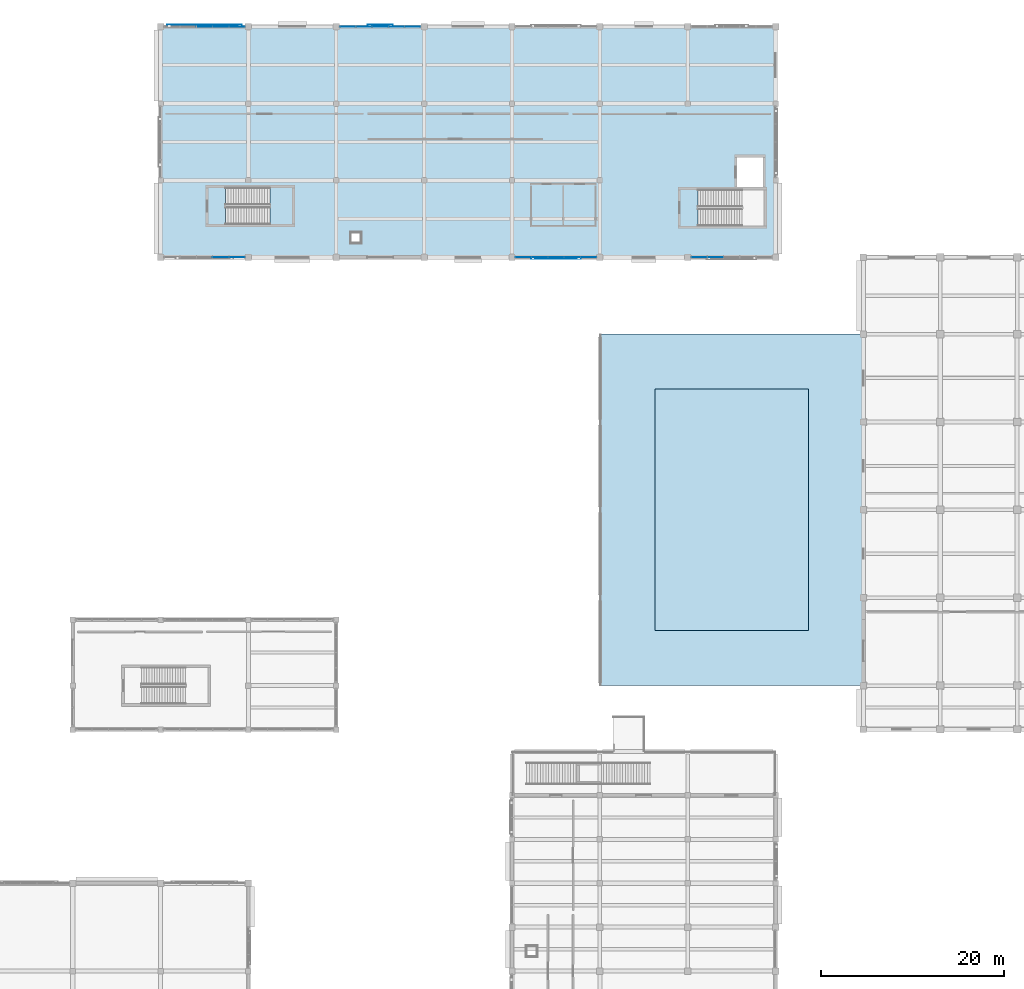
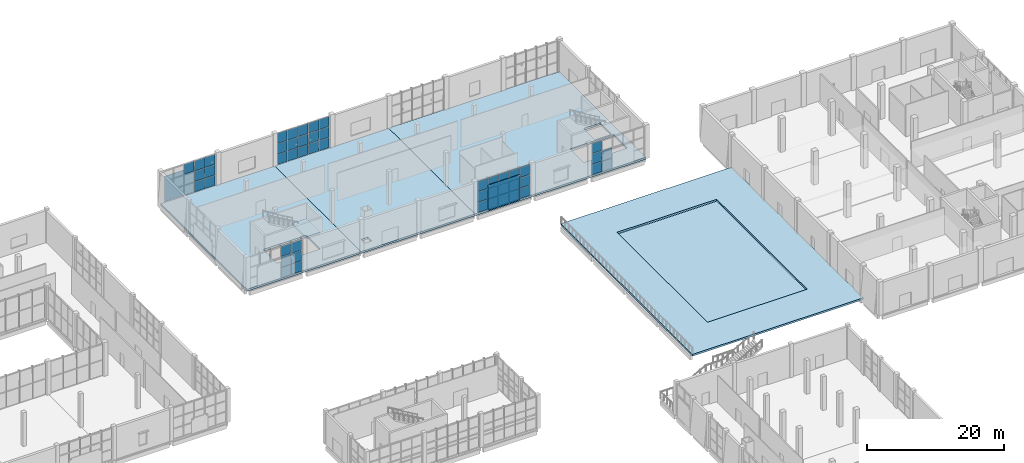
# One storey, part 49 of 84: 51 plates, 6 slabs, 6 elements without a shape of their own.
"""IFC4 building model written with IfcOpenShell, lengths in metres."""

from ifc_helpers import new_model, si_unit, direction, frame, origin, origin_2d, place, context, subcontext, project, spatial, polyline, rectangle, outline, extrude, material, layer, layer_set, type_object, element, aggregate, save


model = new_model("IFC4")

# Units and contexts
model_context = context("Model", 3, precision=1e-05, world=origin(), true_north=direction((0.0, 1.0)))
body_context = subcontext(model_context, "Body", "Model", "MODEL_VIEW")
ifc_project = project(units=[si_unit("LENGTHUNIT", "METRE"), si_unit("AREAUNIT", "SQUARE_METRE"), si_unit("VOLUMEUNIT", "CUBIC_METRE"), si_unit("PLANEANGLEUNIT", "RADIAN"), si_unit("MASSUNIT", "GRAM", prefix="KILO")], contexts=[model_context])

# Site, building, storey
site_placement = place(None, origin())
site = spatial("IfcSite", under=ifc_project, at=site_placement, CompositionType="ELEMENT")
building_placement = place(site_placement, origin())
building = spatial("IfcBuilding", under=site, at=building_placement, Name="Shalvenor Court Art Gallery", CompositionType="ELEMENT")
storey_placement = place(building_placement, origin())
storey = spatial("IfcBuildingStorey", under=building, at=storey_placement, Name="L00", CompositionType="ELEMENT", Elevation=0.0)

# Curtain wall, plates
ifc_material_1 = material(Name="Anodised aluminium and low-iron glass curtain wall", Category="aluminium")
curtain_wall_type_1 = type_object("IfcCurtainWallType", Name="CW-5x3-89-57-242", PredefinedType="USERDEFINED", material=ifc_material_1)
curtain_wall_1_placement = place(storey_placement, origin())
curtain_wall_1 = element("IfcCurtainWall", 1, at=curtain_wall_1_placement, inside=storey, type_object=curtain_wall_type_1, Name="L00 V2 Curtain Wall CW-L00-053", ObjectType="CURTAIN WALL", PredefinedType="USERDEFINED")
ifc_material_2 = material(Name="Low-iron triple-silver solar gallery glazing IGU", Category="glass")
ifc_layer_1 = layer(ifc_material_2, 0.031982421875, Name="Low-iron triple-silver solar gallery glazing IGU")
ifc_layer_set_1 = layer_set([ifc_layer_1], Name="Low-iron triple-silver solar gallery glazing IGU")
plate_type_1 = type_object("IfcPlateType", Name="CWP-02", PredefinedType="CURTAIN_PANEL", material=ifc_layer_set_1)
plate_1_placement = place(storey_placement, frame((62.39990234375, 122.39990234375, 3.82177734375), z_axis=(0.0, 0.0, 1.0), x_axis=(1.0, 0.0, 0.0)))
plate_1 = element("IfcPlate", 2, at=plate_1_placement, type_object=plate_type_1, Name="CW-5x3-89-57-242 panel 3.3", PredefinedType="CURTAIN_PANEL", context=body_context, shape_type="SweptSolid", body=[
    extrude(rectangle(XDim=1.7099609375, YDim=0.031982421875, at=origin_2d()), origin(), (0.0, 0.0, 1.0), 1.788330078125),
])
plate_2_placement = place(storey_placement, frame((64.179931640625, 122.39990234375, 0.06982421875), z_axis=(0.0, 0.0, 1.0), x_axis=(1.0, 0.0, 0.0)))
plate_2 = element("IfcPlate", 3, at=plate_2_placement, type_object=plate_type_1, Name="CW-5x3-89-57-242 panel 4.1", PredefinedType="CURTAIN_PANEL", context=body_context, shape_type="SweptSolid", body=[
    extrude(rectangle(XDim=1.7099609375, YDim=0.031982421875, at=origin_2d()), origin(), (0.0, 0.0, 1.0), 1.788330078125),
])
plate_3_placement = place(storey_placement, frame((64.179931640625, 122.39990234375, 1.928466796875), z_axis=(0.0, 0.0, 1.0), x_axis=(1.0, 0.0, 0.0)))
plate_3 = element("IfcPlate", 4, at=plate_3_placement, type_object=plate_type_1, Name="CW-5x3-89-57-242 panel 4.2", PredefinedType="CURTAIN_PANEL", context=body_context, shape_type="SweptSolid", body=[
    extrude(rectangle(XDim=1.7099609375, YDim=0.031982421875, at=origin_2d()), origin(), (0.0, 0.0, 1.0), 1.8232421875),
])
plate_4_placement = place(storey_placement, frame((64.179931640625, 122.39990234375, 3.82177734375), z_axis=(0.0, 0.0, 1.0), x_axis=(1.0, 0.0, 0.0)))
plate_4 = element("IfcPlate", 5, at=plate_4_placement, type_object=plate_type_1, Name="CW-5x3-89-57-242 panel 4.3", PredefinedType="CURTAIN_PANEL", context=body_context, shape_type="SweptSolid", body=[
    extrude(rectangle(XDim=1.7099609375, YDim=0.031982421875, at=origin_2d()), origin(), (0.0, 0.0, 1.0), 1.788330078125),
])
plate_5_placement = place(storey_placement, frame((65.9423828125, 122.39990234375, 0.06982421875), z_axis=(0.0, 0.0, 1.0), x_axis=(1.0, 0.0, 0.0)))
plate_5 = element("IfcPlate", 6, at=plate_5_placement, type_object=plate_type_1, Name="CW-5x3-89-57-242 panel 5.1", PredefinedType="CURTAIN_PANEL", context=body_context, shape_type="SweptSolid", body=[
    extrude(rectangle(XDim=1.675048828125, YDim=0.031982421875, at=origin_2d()), origin(), (0.0, 0.0, 1.0), 1.788330078125),
])
plate_6_placement = place(storey_placement, frame((65.9423828125, 122.39990234375, 1.928466796875), z_axis=(0.0, 0.0, 1.0), x_axis=(1.0, 0.0, 0.0)))
plate_6 = element("IfcPlate", 7, at=plate_6_placement, type_object=plate_type_1, Name="CW-5x3-89-57-242 panel 5.2", PredefinedType="CURTAIN_PANEL", context=body_context, shape_type="SweptSolid", body=[
    extrude(rectangle(XDim=1.675048828125, YDim=0.031982421875, at=origin_2d()), origin(), (0.0, 0.0, 1.0), 1.8232421875),
])
plate_7_placement = place(storey_placement, frame((65.9423828125, 122.39990234375, 3.82177734375), z_axis=(0.0, 0.0, 1.0), x_axis=(1.0, 0.0, 0.0)))
plate_7 = element("IfcPlate", 8, at=plate_7_placement, type_object=plate_type_1, Name="CW-5x3-89-57-242 panel 5.3", PredefinedType="CURTAIN_PANEL", context=body_context, shape_type="SweptSolid", body=[
    extrude(rectangle(XDim=1.675048828125, YDim=0.031982421875, at=origin_2d()), origin(), (0.0, 0.0, 1.0), 1.788330078125),
])
aggregate(curtain_wall_1, [plate_1, plate_2, plate_3, plate_4, plate_5, plate_6, plate_7])

ifc_material_3 = material(Name="Anodised aluminium and low-iron glass curtain wall", Category="aluminium")
curtain_wall_type_2 = type_object("IfcCurtainWallType", Name="CW-5x3-89-57-412", PredefinedType="USERDEFINED", material=ifc_material_3)
curtain_wall_2_placement = place(storey_placement, origin())
curtain_wall_2 = element("IfcCurtainWall", 9, at=curtain_wall_2_placement, inside=storey, type_object=curtain_wall_type_2, Name="L00 V2 Curtain Wall CW-L00-054", ObjectType="CURTAIN WALL", PredefinedType="USERDEFINED")
plate_8_placement = place(storey_placement, frame((78.058837890625, 122.39990234375, 0.06005859375), z_axis=(0.0, 0.0, 1.0), x_axis=(1.0, 0.0, 0.0)))
plate_8 = element("IfcPlate", 10, at=plate_8_placement, type_object=plate_type_1, Name="CW-5x3-89-57-412 panel 1.1", PredefinedType="CURTAIN_PANEL", context=body_context, shape_type="SweptSolid", body=[
    extrude(rectangle(XDim=1.66748046875, YDim=0.031982421875, at=origin_2d()), origin(), (0.0, 0.0, 1.0), 1.80322265625),
])
plate_9_placement = place(storey_placement, frame((78.058837890625, 122.39990234375, 1.92333984375), z_axis=(0.0, 0.0, 1.0), x_axis=(1.0, 0.0, 0.0)))
plate_9 = element("IfcPlate", 11, at=plate_9_placement, type_object=plate_type_1, Name="CW-5x3-89-57-412 panel 1.2", PredefinedType="CURTAIN_PANEL", context=body_context, shape_type="SweptSolid", body=[
    extrude(rectangle(XDim=1.66748046875, YDim=0.031982421875, at=origin_2d()), origin(), (0.0, 0.0, 1.0), 1.833251953125),
])
plate_10_placement = place(storey_placement, frame((78.058837890625, 122.39990234375, 3.816650390625), z_axis=(0.0, 0.0, 1.0), x_axis=(1.0, 0.0, 0.0)))
plate_10 = element("IfcPlate", 12, at=plate_10_placement, type_object=plate_type_1, Name="CW-5x3-89-57-412 panel 1.3", PredefinedType="CURTAIN_PANEL", context=body_context, shape_type="SweptSolid", body=[
    extrude(rectangle(XDim=1.66748046875, YDim=0.031982421875, at=origin_2d()), origin(), (0.0, 0.0, 1.0), 1.80322265625),
])
plate_11_placement = place(storey_placement, frame((79.820068359375, 122.39990234375, 0.06005859375), z_axis=(0.0, 0.0, 1.0), x_axis=(1.0, 0.0, 0.0)))
plate_11 = element("IfcPlate", 13, at=plate_11_placement, type_object=plate_type_1, Name="CW-5x3-89-57-412 panel 2.1", PredefinedType="CURTAIN_PANEL", context=body_context, shape_type="SweptSolid", body=[
    extrude(rectangle(XDim=1.705078125, YDim=0.031982421875, at=origin_2d()), origin(), (0.0, 0.0, 1.0), 1.80322265625),
])
plate_12_placement = place(storey_placement, frame((79.820068359375, 122.39990234375, 1.92333984375), z_axis=(0.0, 0.0, 1.0), x_axis=(1.0, 0.0, 0.0)))
plate_12 = element("IfcPlate", 14, at=plate_12_placement, type_object=plate_type_1, Name="CW-5x3-89-57-412 panel 2.2", PredefinedType="CURTAIN_PANEL", context=body_context, shape_type="SweptSolid", body=[
    extrude(rectangle(XDim=1.705078125, YDim=0.031982421875, at=origin_2d()), origin(), (0.0, 0.0, 1.0), 1.833251953125),
])
plate_13_placement = place(storey_placement, frame((79.820068359375, 122.39990234375, 3.816650390625), z_axis=(0.0, 0.0, 1.0), x_axis=(1.0, 0.0, 0.0)))
plate_13 = element("IfcPlate", 15, at=plate_13_placement, type_object=plate_type_1, Name="CW-5x3-89-57-412 panel 2.3", PredefinedType="CURTAIN_PANEL", context=body_context, shape_type="SweptSolid", body=[
    extrude(rectangle(XDim=1.705078125, YDim=0.031982421875, at=origin_2d()), origin(), (0.0, 0.0, 1.0), 1.80322265625),
])
plate_14_placement = place(storey_placement, frame((81.60009765625, 122.39990234375, 0.06005859375), z_axis=(0.0, 0.0, 1.0), x_axis=(1.0, 0.0, 0.0)))
plate_14 = element("IfcPlate", 16, at=plate_14_placement, type_object=plate_type_1, Name="CW-5x3-89-57-412 panel 3.1", PredefinedType="CURTAIN_PANEL", context=body_context, shape_type="SweptSolid", body=[
    extrude(rectangle(XDim=1.705078125, YDim=0.031982421875, at=origin_2d()), origin(), (0.0, 0.0, 1.0), 1.80322265625),
])
plate_15_placement = place(storey_placement, frame((81.60009765625, 122.39990234375, 1.92333984375), z_axis=(0.0, 0.0, 1.0), x_axis=(1.0, 0.0, 0.0)))
plate_15 = element("IfcPlate", 17, at=plate_15_placement, type_object=plate_type_1, Name="CW-5x3-89-57-412 panel 3.2", PredefinedType="CURTAIN_PANEL", context=body_context, shape_type="SweptSolid", body=[
    extrude(rectangle(XDim=1.705078125, YDim=0.031982421875, at=origin_2d()), origin(), (0.0, 0.0, 1.0), 1.833251953125),
])
plate_16_placement = place(storey_placement, frame((81.60009765625, 122.39990234375, 3.816650390625), z_axis=(0.0, 0.0, 1.0), x_axis=(1.0, 0.0, 0.0)))
plate_16 = element("IfcPlate", 18, at=plate_16_placement, type_object=plate_type_1, Name="CW-5x3-89-57-412 panel 3.3", PredefinedType="CURTAIN_PANEL", context=body_context, shape_type="SweptSolid", body=[
    extrude(rectangle(XDim=1.705078125, YDim=0.031982421875, at=origin_2d()), origin(), (0.0, 0.0, 1.0), 1.80322265625),
])
plate_17_placement = place(storey_placement, frame((83.3798828125, 122.39990234375, 0.06005859375), z_axis=(0.0, 0.0, 1.0), x_axis=(1.0, 0.0, 0.0)))
plate_17 = element("IfcPlate", 19, at=plate_17_placement, type_object=plate_type_1, Name="CW-5x3-89-57-412 panel 4.1", PredefinedType="CURTAIN_PANEL", context=body_context, shape_type="SweptSolid", body=[
    extrude(rectangle(XDim=1.705078125, YDim=0.031982421875, at=origin_2d()), origin(), (0.0, 0.0, 1.0), 1.80322265625),
])
plate_18_placement = place(storey_placement, frame((83.3798828125, 122.39990234375, 1.92333984375), z_axis=(0.0, 0.0, 1.0), x_axis=(1.0, 0.0, 0.0)))
plate_18 = element("IfcPlate", 20, at=plate_18_placement, type_object=plate_type_1, Name="CW-5x3-89-57-412 panel 4.2", PredefinedType="CURTAIN_PANEL", context=body_context, shape_type="SweptSolid", body=[
    extrude(rectangle(XDim=1.705078125, YDim=0.031982421875, at=origin_2d()), origin(), (0.0, 0.0, 1.0), 1.833251953125),
])
plate_19_placement = place(storey_placement, frame((83.3798828125, 122.39990234375, 3.816650390625), z_axis=(0.0, 0.0, 1.0), x_axis=(1.0, 0.0, 0.0)))
plate_19 = element("IfcPlate", 21, at=plate_19_placement, type_object=plate_type_1, Name="CW-5x3-89-57-412 panel 4.3", PredefinedType="CURTAIN_PANEL", context=body_context, shape_type="SweptSolid", body=[
    extrude(rectangle(XDim=1.705078125, YDim=0.031982421875, at=origin_2d()), origin(), (0.0, 0.0, 1.0), 1.80322265625),
])
plate_20_placement = place(storey_placement, frame((85.141357421875, 122.39990234375, 0.06005859375), z_axis=(0.0, 0.0, 1.0), x_axis=(1.0, 0.0, 0.0)))
plate_20 = element("IfcPlate", 22, at=plate_20_placement, type_object=plate_type_1, Name="CW-5x3-89-57-412 panel 5.1", PredefinedType="CURTAIN_PANEL", context=body_context, shape_type="SweptSolid", body=[
    extrude(rectangle(XDim=1.66748046875, YDim=0.031982421875, at=origin_2d()), origin(), (0.0, 0.0, 1.0), 1.80322265625),
])
plate_21_placement = place(storey_placement, frame((85.141357421875, 122.39990234375, 1.92333984375), z_axis=(0.0, 0.0, 1.0), x_axis=(1.0, 0.0, 0.0)))
plate_21 = element("IfcPlate", 23, at=plate_21_placement, type_object=plate_type_1, Name="CW-5x3-89-57-412 panel 5.2", PredefinedType="CURTAIN_PANEL", context=body_context, shape_type="SweptSolid", body=[
    extrude(rectangle(XDim=1.66748046875, YDim=0.031982421875, at=origin_2d()), origin(), (0.0, 0.0, 1.0), 1.833251953125),
])
plate_22_placement = place(storey_placement, frame((85.141357421875, 122.39990234375, 3.816650390625), z_axis=(0.0, 0.0, 1.0), x_axis=(1.0, 0.0, 0.0)))
plate_22 = element("IfcPlate", 24, at=plate_22_placement, type_object=plate_type_1, Name="CW-5x3-89-57-412 panel 5.3", PredefinedType="CURTAIN_PANEL", context=body_context, shape_type="SweptSolid", body=[
    extrude(rectangle(XDim=1.66748046875, YDim=0.031982421875, at=origin_2d()), origin(), (0.0, 0.0, 1.0), 1.80322265625),
])
aggregate(curtain_wall_2, [plate_8, plate_9, plate_10, plate_11, plate_12, plate_13, plate_14, plate_15, plate_16, plate_17, plate_18, plate_19, plate_20, plate_21, plate_22])

ifc_material_4 = material(Name="Anodised aluminium and low-iron glass curtain wall", Category="aluminium")
curtain_wall_type_3 = type_object("IfcCurtainWallType", Name="CW-5x3-89-57-422", PredefinedType="USERDEFINED", material=ifc_material_4)
curtain_wall_3_placement = place(storey_placement, origin())
curtain_wall_3 = element("IfcCurtainWall", 25, at=curtain_wall_3_placement, inside=storey, type_object=curtain_wall_type_3, Name="L00 V2 Curtain Wall CW-L00-058", ObjectType="CURTAIN WALL", PredefinedType="USERDEFINED")
plate_23_placement = place(storey_placement, frame((118.219970703125, 97.199951171875, 0.06494140625), z_axis=(0.0, 0.0, 1.0), x_axis=(-1.0, 0.0, 0.0)))
plate_23 = element("IfcPlate", 26, at=plate_23_placement, type_object=plate_type_1, Name="CW-5x3-89-57-422 panel 4.1", PredefinedType="CURTAIN_PANEL", context=body_context, shape_type="SweptSolid", body=[
    extrude(rectangle(XDim=1.705078125, YDim=0.031982421875, at=origin_2d()), origin(), (0.0, 0.0, 1.0), 1.7958984375),
])
plate_24_placement = place(storey_placement, frame((118.219970703125, 97.199951171875, 1.92578125), z_axis=(0.0, 0.0, 1.0), x_axis=(-1.0, 0.0, 0.0)))
plate_24 = element("IfcPlate", 27, at=plate_24_placement, type_object=plate_type_1, Name="CW-5x3-89-57-422 panel 4.2", PredefinedType="CURTAIN_PANEL", context=body_context, shape_type="SweptSolid", body=[
    extrude(rectangle(XDim=1.705078125, YDim=0.031982421875, at=origin_2d()), origin(), (0.0, 0.0, 1.0), 1.828369140625),
])
plate_25_placement = place(storey_placement, frame((116.458740234375, 97.199951171875, 0.06494140625), z_axis=(0.0, 0.0, 1.0), x_axis=(-1.0, 0.0, 0.0)))
plate_25 = element("IfcPlate", 28, at=plate_25_placement, type_object=plate_type_1, Name="CW-5x3-89-57-422 panel 5.1", PredefinedType="CURTAIN_PANEL", context=body_context, shape_type="SweptSolid", body=[
    extrude(rectangle(XDim=1.66748046875, YDim=0.031982421875, at=origin_2d()), origin(), (0.0, 0.0, 1.0), 1.7958984375),
])
plate_26_placement = place(storey_placement, frame((116.458740234375, 97.199951171875, 1.92578125), z_axis=(0.0, 0.0, 1.0), x_axis=(-1.0, 0.0, 0.0)))
plate_26 = element("IfcPlate", 29, at=plate_26_placement, type_object=plate_type_1, Name="CW-5x3-89-57-422 panel 5.2", PredefinedType="CURTAIN_PANEL", context=body_context, shape_type="SweptSolid", body=[
    extrude(rectangle(XDim=1.66748046875, YDim=0.031982421875, at=origin_2d()), origin(), (0.0, 0.0, 1.0), 1.828369140625),
])
plate_27_placement = place(storey_placement, frame((116.458740234375, 97.199951171875, 3.819091796875), z_axis=(0.0, 0.0, 1.0), x_axis=(-1.0, 0.0, 0.0)))
plate_27 = element("IfcPlate", 30, at=plate_27_placement, type_object=plate_type_1, Name="CW-5x3-89-57-422 panel 5.3", PredefinedType="CURTAIN_PANEL", context=body_context, shape_type="SweptSolid", body=[
    extrude(rectangle(XDim=1.66748046875, YDim=0.031982421875, at=origin_2d()), origin(), (0.0, 0.0, 1.0), 1.7958984375),
])
aggregate(curtain_wall_3, [plate_23, plate_24, plate_25, plate_26, plate_27])

ifc_material_5 = material(Name="Anodised aluminium and low-iron glass curtain wall", Category="aluminium")
curtain_wall_type_4 = type_object("IfcCurtainWallType", Name="CW-5x3-89-57-642", PredefinedType="USERDEFINED", material=ifc_material_5)
curtain_wall_4_placement = place(storey_placement, origin())
curtain_wall_4 = element("IfcCurtainWall", 31, at=curtain_wall_4_placement, inside=storey, type_object=curtain_wall_type_4, Name="L00 V2 Curtain Wall CW-L00-059", ObjectType="CURTAIN WALL", PredefinedType="USERDEFINED")
plate_28_placement = place(storey_placement, frame((104.34619140625, 97.199951171875, 0.06982421875), z_axis=(0.0, 0.0, 1.0), x_axis=(-1.0, 0.0, 0.0)))
plate_28 = element("IfcPlate", 32, at=plate_28_placement, type_object=plate_type_1, Name="CW-5x3-89-57-642 panel 1.1", PredefinedType="CURTAIN_PANEL", context=body_context, shape_type="SweptSolid", body=[
    extrude(rectangle(XDim=1.697509765625, YDim=0.031982421875, at=origin_2d()), origin(), (0.0, 0.0, 1.0), 1.788330078125),
])
plate_29_placement = place(storey_placement, frame((104.34619140625, 97.199951171875, 1.928466796875), z_axis=(0.0, 0.0, 1.0), x_axis=(-1.0, 0.0, 0.0)))
plate_29 = element("IfcPlate", 33, at=plate_29_placement, type_object=plate_type_1, Name="CW-5x3-89-57-642 panel 1.2", PredefinedType="CURTAIN_PANEL", context=body_context, shape_type="SweptSolid", body=[
    extrude(rectangle(XDim=1.697509765625, YDim=0.031982421875, at=origin_2d()), origin(), (0.0, 0.0, 1.0), 1.8232421875),
])
plate_30_placement = place(storey_placement, frame((104.34619140625, 97.199951171875, 3.82177734375), z_axis=(0.0, 0.0, 1.0), x_axis=(-1.0, 0.0, 0.0)))
plate_30 = element("IfcPlate", 34, at=plate_30_placement, type_object=plate_type_1, Name="CW-5x3-89-57-642 panel 1.3", PredefinedType="CURTAIN_PANEL", context=body_context, shape_type="SweptSolid", body=[
    extrude(rectangle(XDim=1.697509765625, YDim=0.031982421875, at=origin_2d()), origin(), (0.0, 0.0, 1.0), 1.788330078125),
])
plate_31_placement = place(storey_placement, frame((102.580078125, 97.199951171875, 0.06982421875), z_axis=(0.0, 0.0, 1.0), x_axis=(-1.0, 0.0, 0.0)))
plate_31 = element("IfcPlate", 35, at=plate_31_placement, type_object=plate_type_1, Name="CW-5x3-89-57-642 panel 2.1", PredefinedType="CURTAIN_PANEL", context=body_context, shape_type="SweptSolid", body=[
    extrude(rectangle(XDim=1.72509765625, YDim=0.031982421875, at=origin_2d()), origin(), (0.0, 0.0, 1.0), 1.788330078125),
])
plate_32_placement = place(storey_placement, frame((102.580078125, 97.199951171875, 1.928466796875), z_axis=(0.0, 0.0, 1.0), x_axis=(-1.0, 0.0, 0.0)))
plate_32 = element("IfcPlate", 36, at=plate_32_placement, type_object=plate_type_1, Name="CW-5x3-89-57-642 panel 2.2", PredefinedType="CURTAIN_PANEL", context=body_context, shape_type="SweptSolid", body=[
    extrude(rectangle(XDim=1.72509765625, YDim=0.031982421875, at=origin_2d()), origin(), (0.0, 0.0, 1.0), 1.8232421875),
])
plate_33_placement = place(storey_placement, frame((102.580078125, 97.199951171875, 3.82177734375), z_axis=(0.0, 0.0, 1.0), x_axis=(-1.0, 0.0, 0.0)))
plate_33 = element("IfcPlate", 37, at=plate_33_placement, type_object=plate_type_1, Name="CW-5x3-89-57-642 panel 2.3", PredefinedType="CURTAIN_PANEL", context=body_context, shape_type="SweptSolid", body=[
    extrude(rectangle(XDim=1.72509765625, YDim=0.031982421875, at=origin_2d()), origin(), (0.0, 0.0, 1.0), 1.788330078125),
])
plate_34_placement = place(storey_placement, frame((100.800048828125, 97.199951171875, 0.06982421875), z_axis=(0.0, 0.0, 1.0), x_axis=(-1.0, 0.0, 0.0)))
plate_34 = element("IfcPlate", 38, at=plate_34_placement, type_object=plate_type_1, Name="CW-5x3-89-57-642 panel 3.1", PredefinedType="CURTAIN_PANEL", context=body_context, shape_type="SweptSolid", body=[
    extrude(rectangle(XDim=1.72509765625, YDim=0.031982421875, at=origin_2d()), origin(), (0.0, 0.0, 1.0), 1.788330078125),
])
plate_35_placement = place(storey_placement, frame((100.800048828125, 97.199951171875, 1.928466796875), z_axis=(0.0, 0.0, 1.0), x_axis=(-1.0, 0.0, 0.0)))
plate_35 = element("IfcPlate", 39, at=plate_35_placement, type_object=plate_type_1, Name="CW-5x3-89-57-642 panel 3.2", PredefinedType="CURTAIN_PANEL", context=body_context, shape_type="SweptSolid", body=[
    extrude(rectangle(XDim=1.72509765625, YDim=0.031982421875, at=origin_2d()), origin(), (0.0, 0.0, 1.0), 1.8232421875),
])
plate_36_placement = place(storey_placement, frame((100.800048828125, 97.199951171875, 3.82177734375), z_axis=(0.0, 0.0, 1.0), x_axis=(-1.0, 0.0, 0.0)))
plate_36 = element("IfcPlate", 40, at=plate_36_placement, type_object=plate_type_1, Name="CW-5x3-89-57-642 panel 3.3", PredefinedType="CURTAIN_PANEL", context=body_context, shape_type="SweptSolid", body=[
    extrude(rectangle(XDim=1.72509765625, YDim=0.031982421875, at=origin_2d()), origin(), (0.0, 0.0, 1.0), 1.788330078125),
])
plate_37_placement = place(storey_placement, frame((99.02001953125, 97.199951171875, 0.06982421875), z_axis=(0.0, 0.0, 1.0), x_axis=(-1.0, 0.0, 0.0)))
plate_37 = element("IfcPlate", 41, at=plate_37_placement, type_object=plate_type_1, Name="CW-5x3-89-57-642 panel 4.1", PredefinedType="CURTAIN_PANEL", context=body_context, shape_type="SweptSolid", body=[
    extrude(rectangle(XDim=1.72509765625, YDim=0.031982421875, at=origin_2d()), origin(), (0.0, 0.0, 1.0), 1.788330078125),
])
plate_38_placement = place(storey_placement, frame((99.02001953125, 97.199951171875, 1.928466796875), z_axis=(0.0, 0.0, 1.0), x_axis=(-1.0, 0.0, 0.0)))
plate_38 = element("IfcPlate", 42, at=plate_38_placement, type_object=plate_type_1, Name="CW-5x3-89-57-642 panel 4.2", PredefinedType="CURTAIN_PANEL", context=body_context, shape_type="SweptSolid", body=[
    extrude(rectangle(XDim=1.72509765625, YDim=0.031982421875, at=origin_2d()), origin(), (0.0, 0.0, 1.0), 1.8232421875),
])
plate_39_placement = place(storey_placement, frame((99.02001953125, 97.199951171875, 3.82177734375), z_axis=(0.0, 0.0, 1.0), x_axis=(-1.0, 0.0, 0.0)))
plate_39 = element("IfcPlate", 43, at=plate_39_placement, type_object=plate_type_1, Name="CW-5x3-89-57-642 panel 4.3", PredefinedType="CURTAIN_PANEL", context=body_context, shape_type="SweptSolid", body=[
    extrude(rectangle(XDim=1.72509765625, YDim=0.031982421875, at=origin_2d()), origin(), (0.0, 0.0, 1.0), 1.788330078125),
])
plate_40_placement = place(storey_placement, frame((97.253662109375, 97.199951171875, 0.06982421875), z_axis=(0.0, 0.0, 1.0), x_axis=(-1.0, 0.0, 0.0)))
plate_40 = element("IfcPlate", 44, at=plate_40_placement, type_object=plate_type_1, Name="CW-5x3-89-57-642 panel 5.1", PredefinedType="CURTAIN_PANEL", context=body_context, shape_type="SweptSolid", body=[
    extrude(rectangle(XDim=1.697509765625, YDim=0.031982421875, at=origin_2d()), origin(), (0.0, 0.0, 1.0), 1.788330078125),
])
plate_41_placement = place(storey_placement, frame((97.253662109375, 97.199951171875, 1.928466796875), z_axis=(0.0, 0.0, 1.0), x_axis=(-1.0, 0.0, 0.0)))
plate_41 = element("IfcPlate", 45, at=plate_41_placement, type_object=plate_type_1, Name="CW-5x3-89-57-642 panel 5.2", PredefinedType="CURTAIN_PANEL", context=body_context, shape_type="SweptSolid", body=[
    extrude(rectangle(XDim=1.697509765625, YDim=0.031982421875, at=origin_2d()), origin(), (0.0, 0.0, 1.0), 1.8232421875),
])
plate_42_placement = place(storey_placement, frame((97.253662109375, 97.199951171875, 3.82177734375), z_axis=(0.0, 0.0, 1.0), x_axis=(-1.0, 0.0, 0.0)))
plate_42 = element("IfcPlate", 46, at=plate_42_placement, type_object=plate_type_1, Name="CW-5x3-89-57-642 panel 5.3", PredefinedType="CURTAIN_PANEL", context=body_context, shape_type="SweptSolid", body=[
    extrude(rectangle(XDim=1.697509765625, YDim=0.031982421875, at=origin_2d()), origin(), (0.0, 0.0, 1.0), 1.788330078125),
])
aggregate(curtain_wall_4, [plate_28, plate_29, plate_30, plate_31, plate_32, plate_33, plate_34, plate_35, plate_36, plate_37, plate_38, plate_39, plate_40, plate_41, plate_42])

ifc_material_6 = material(Name="Anodised aluminium and low-iron glass curtain wall", Category="aluminium")
curtain_wall_type_5 = type_object("IfcCurtainWallType", Name="CW-5x3-89-57-112", PredefinedType="USERDEFINED", material=ifc_material_6)
curtain_wall_5_placement = place(storey_placement, origin())
curtain_wall_5 = element("IfcCurtainWall", 47, at=curtain_wall_5_placement, inside=storey, type_object=curtain_wall_type_5, Name="L00 V2 Curtain Wall CW-L00-060", ObjectType="CURTAIN WALL", PredefinedType="USERDEFINED")
plate_43_placement = place(storey_placement, frame((65.94384765625, 97.199951171875, 0.06005859375), z_axis=(0.0, 0.0, 1.0), x_axis=(-1.0, 0.0, 0.0)))
plate_43 = element("IfcPlate", 48, at=plate_43_placement, type_object=plate_type_1, Name="CW-5x3-89-57-112 panel 1.1", PredefinedType="CURTAIN_PANEL", context=body_context, shape_type="SweptSolid", body=[
    extrude(rectangle(XDim=1.6826171875, YDim=0.031982421875, at=origin_2d()), origin(), (0.0, 0.0, 1.0), 1.80322265625),
])
plate_44_placement = place(storey_placement, frame((65.94384765625, 97.199951171875, 1.92333984375), z_axis=(0.0, 0.0, 1.0), x_axis=(-1.0, 0.0, 0.0)))
plate_44 = element("IfcPlate", 49, at=plate_44_placement, type_object=plate_type_1, Name="CW-5x3-89-57-112 panel 1.2", PredefinedType="CURTAIN_PANEL", context=body_context, shape_type="SweptSolid", body=[
    extrude(rectangle(XDim=1.6826171875, YDim=0.031982421875, at=origin_2d()), origin(), (0.0, 0.0, 1.0), 1.833251953125),
])
plate_45_placement = place(storey_placement, frame((65.94384765625, 97.199951171875, 3.816650390625), z_axis=(0.0, 0.0, 1.0), x_axis=(-1.0, 0.0, 0.0)))
plate_45 = element("IfcPlate", 50, at=plate_45_placement, type_object=plate_type_1, Name="CW-5x3-89-57-112 panel 1.3", PredefinedType="CURTAIN_PANEL", context=body_context, shape_type="SweptSolid", body=[
    extrude(rectangle(XDim=1.6826171875, YDim=0.031982421875, at=origin_2d()), origin(), (0.0, 0.0, 1.0), 1.80322265625),
])
plate_46_placement = place(storey_placement, frame((64.179931640625, 97.199951171875, 0.06005859375), z_axis=(0.0, 0.0, 1.0), x_axis=(-1.0, 0.0, 0.0)))
plate_46 = element("IfcPlate", 51, at=plate_46_placement, type_object=plate_type_1, Name="CW-5x3-89-57-112 panel 2.1", PredefinedType="CURTAIN_PANEL", context=body_context, shape_type="SweptSolid", body=[
    extrude(rectangle(XDim=1.715087890625, YDim=0.031982421875, at=origin_2d()), origin(), (0.0, 0.0, 1.0), 1.80322265625),
])
plate_47_placement = place(storey_placement, frame((64.179931640625, 97.199951171875, 1.92333984375), z_axis=(0.0, 0.0, 1.0), x_axis=(-1.0, 0.0, 0.0)))
plate_47 = element("IfcPlate", 52, at=plate_47_placement, type_object=plate_type_1, Name="CW-5x3-89-57-112 panel 2.2", PredefinedType="CURTAIN_PANEL", context=body_context, shape_type="SweptSolid", body=[
    extrude(rectangle(XDim=1.715087890625, YDim=0.031982421875, at=origin_2d()), origin(), (0.0, 0.0, 1.0), 1.833251953125),
])
plate_48_placement = place(storey_placement, frame((64.179931640625, 97.199951171875, 3.816650390625), z_axis=(0.0, 0.0, 1.0), x_axis=(-1.0, 0.0, 0.0)))
plate_48 = element("IfcPlate", 53, at=plate_48_placement, type_object=plate_type_1, Name="CW-5x3-89-57-112 panel 2.3", PredefinedType="CURTAIN_PANEL", context=body_context, shape_type="SweptSolid", body=[
    extrude(rectangle(XDim=1.715087890625, YDim=0.031982421875, at=origin_2d()), origin(), (0.0, 0.0, 1.0), 1.80322265625),
])
aggregate(curtain_wall_5, [plate_43, plate_44, plate_45, plate_46, plate_47, plate_48])

# Slabs
ifc_material_7 = material(Name="Concrete C40/50", Category="concrete")
ifc_layer_2 = layer(ifc_material_7, 0.340087890625, Name="Concrete C40/50")
ifc_layer_set_2 = layer_set([ifc_layer_2], Name="Concrete C40/50")
slab_type_1 = type_object("IfcSlabType", Name="FS-340", PredefinedType="FLOOR", material=ifc_layer_set_2)
slab_1_placement = place(storey_placement, frame((0.0, 0.0, -0.340087890625)))
element("IfcSlab", 54, at=slab_1_placement, inside=storey, type_object=slab_type_1, Name="L00 V2 Floor Slab 1", PredefinedType="FLOOR", context=body_context, shape_type="SweptSolid", body=[
    extrude(outline(polyline([(57.60009765625, 97.199951171875), (57.60009765625, 122.39990234375), (76.800048828125, 122.39990234375), (76.800048828125, 97.199951171875), (57.60009765625, 97.199951171875)]), holes=[polyline([(64.7109375, 100.800048828125), (72.0, 100.800048828125), (72.0, 104.800048828125), (64.7109375, 104.800048828125), (64.7109375, 100.800048828125)])]), origin(), (0.0, 0.0, 1.0), 0.340087890625),
])
slab_2_placement = place(storey_placement, frame((0.0, 0.0, -0.340087890625)))
element("IfcSlab", 55, at=slab_2_placement, inside=storey, type_object=slab_type_1, Name="L00 V2 Floor Slab 2", PredefinedType="FLOOR", context=body_context, shape_type="SweptSolid", body=[
    extrude(outline(polyline([(76.800048828125, 97.199951171875), (76.800048828125, 122.39990234375), (96.0, 122.39990234375), (96.0, 97.199951171875), (76.800048828125, 97.199951171875)]), holes=[polyline([(78.39990234375, 98.800048828125), (79.5, 98.800048828125), (79.5, 99.89990234375), (78.39990234375, 99.89990234375), (78.39990234375, 98.800048828125)])]), origin(), (0.0, 0.0, 1.0), 0.340087890625),
])
slab_3_placement = place(storey_placement, frame((0.0, 0.0, -0.340087890625)))
element("IfcSlab", 56, at=slab_3_placement, inside=storey, type_object=slab_type_1, Name="L00 V2 Floor Slab 3", PredefinedType="FLOOR", context=body_context, shape_type="SweptSolid", body=[
    extrude(outline(polyline([(124.800048828125, 97.199951171875), (96.0, 97.199951171875), (96.0, 122.39990234375), (124.800048828125, 122.39990234375), (124.800048828125, 97.199951171875)]), holes=[polyline([(123.60009765625, 100.60009765625), (123.60009765625, 104.60009765625), (116.31103515625, 104.60009765625), (116.31103515625, 100.60009765625), (123.60009765625, 100.60009765625)]), polyline([(120.60009765625, 108.10009765625), (120.60009765625, 104.8720703125), (123.39990234375, 104.8720703125), (123.39990234375, 108.10009765625), (120.60009765625, 108.10009765625)])]), origin(), (0.0, 0.0, 1.0), 0.340087890625),
])

# Plates
ifc_material_8 = material(Name="Perforated pale limestone GRC lattice", Category="masonry")
ifc_layer_3 = layer(ifc_material_8, 0.090087890625, Name="Perforated pale limestone GRC lattice")
ifc_layer_set_3 = layer_set([ifc_layer_3], Name="Perforated pale limestone GRC lattice")
plate_type_2 = type_object("IfcPlateType", Name="SCR-04", PredefinedType="USERDEFINED", material=ifc_layer_set_3)
plate_49_placement = place(storey_placement, frame((100.800048828125, 97.0869140625, 0.0), z_axis=(0.0, 0.0, 1.0), x_axis=(-1.0, 0.0, 0.0)))
element("IfcPlate", 57, at=plate_49_placement, inside=storey, type_object=plate_type_2, Name="L00 V2 Perforated Stone Lattice Screen PLT-SCR-0046", ObjectType="SCREEN", PredefinedType="USERDEFINED", context=body_context, shape_type="SweptSolid", body=[
    extrude(rectangle(XDim=5.39990234375, YDim=0.090087890625, at=origin_2d()), origin(), (0.0, 0.0, 1.0), 4.5),
])
ifc_material_9 = material(Name="Perforated pale limestone GRC lattice", Category="masonry")
ifc_layer_4 = layer(ifc_material_9, 0.094970703125, Name="Perforated pale limestone GRC lattice")
ifc_layer_set_4 = layer_set([ifc_layer_4], Name="Perforated pale limestone GRC lattice")
plate_type_3 = type_object("IfcPlateType", Name="SCR-12", PredefinedType="USERDEFINED", material=ifc_layer_set_4)
plate_50_placement = place(storey_placement, frame((62.39990234375, 122.54541015625, 0.0), z_axis=(0.0, 0.0, 1.0), x_axis=(1.0, 0.0, 0.0)))
element("IfcPlate", 58, at=plate_50_placement, inside=storey, type_object=plate_type_3, Name="L00 V2 Perforated Stone Lattice Screen PLT-SCR-0040", ObjectType="SCREEN", PredefinedType="USERDEFINED", context=body_context, shape_type="SweptSolid", body=[
    extrude(rectangle(XDim=8.10009765625, YDim=0.094970703125, at=origin_2d()), origin(), (0.0, 0.0, 1.0), 4.5),
])
ifc_material_10 = material(Name="Perforated pale limestone GRC lattice", Category="masonry")
ifc_layer_5 = layer(ifc_material_10, 0.0849609375, Name="Perforated pale limestone GRC lattice")
ifc_layer_set_5 = layer_set([ifc_layer_5], Name="Perforated pale limestone GRC lattice")
plate_type_4 = type_object("IfcPlateType", Name="SCR-13", PredefinedType="USERDEFINED", material=ifc_layer_set_5)
plate_51_placement = place(storey_placement, frame((81.60009765625, 122.550537109375, 0.0), z_axis=(0.0, 0.0, 1.0), x_axis=(1.0, 0.0, 0.0)))
element("IfcPlate", 59, at=plate_51_placement, inside=storey, type_object=plate_type_4, Name="L00 V2 Perforated Stone Lattice Screen PLT-SCR-0041", ObjectType="SCREEN", PredefinedType="USERDEFINED", context=body_context, shape_type="SweptSolid", body=[
    extrude(rectangle(XDim=2.699951171875, YDim=0.0849609375, at=origin_2d()), origin(), (0.0, 0.0, 1.0), 2.699951171875),
])

# Stair, slab
ifc_material_11 = material(Name="Concrete C40/50", Category="concrete")
stair_type = type_object("IfcStairType", Name="ST-DL-36R-1900", PredefinedType="HALF_TURN_STAIR", material=ifc_material_11)
stair_placement = place(storey_placement, origin())
stair = element("IfcStair", 60, at=stair_placement, inside=storey, type_object=stair_type, Name="L00 Core Dogleg Stair ST-09", PredefinedType="HALF_TURN_STAIR")
ifc_material_12 = material(Name="Concrete C40/50", Category="concrete")
ifc_layer_6 = layer(ifc_material_12, 0.300048828125, Name="Concrete C40/50")
ifc_layer_set_6 = layer_set([ifc_layer_6], Name="Concrete C40/50")
slab_type_2 = type_object("IfcSlabType", Name="SLD-300", PredefinedType="LANDING", material=ifc_layer_set_6)
slab_4_placement = place(storey_placement, frame((0.0, 0.0, 2.699951171875)))
slab_4 = element("IfcSlab", 61, at=slab_4_placement, type_object=slab_type_2, Name="ST-DL-36R-1900 landing 1", PredefinedType="LANDING", context=body_context, shape_type="SweptSolid", body=[
    extrude(outline(polyline([(69.544921875, 100.800048828125), (72.0, 100.800048828125), (72.0, 104.800048828125), (69.544921875, 104.800048828125), (69.544921875, 100.800048828125)])), origin(), (0.0, 0.0, 1.0), 0.300048828125),
])
aggregate(stair, [slab_4])

# Slabs
ifc_material_13 = material(Name="Concrete C40/50", Category="concrete")
ifc_layer_7 = layer(ifc_material_13, 0.300048828125, Name="Concrete C40/50")
ifc_layer_set_7 = layer_set([ifc_layer_7], Name="Concrete C40/50")
slab_type_3 = type_object("IfcSlabType", Name="TS-300", PredefinedType="FLOOR", material=ifc_layer_set_7)
slab_5_placement = place(storey_placement, frame((0.0, 0.0, -0.64990234375)))
element("IfcSlab", 62, at=slab_5_placement, inside=storey, type_object=slab_type_3, Name="L00 Basalt Reflecting Pool Basin Slab", PredefinedType="FLOOR", context=body_context, shape_type="SweptSolid", body=[
    extrude(outline(polyline([(111.60009765625, 56.39990234375), (128.39990234375, 56.39990234375), (128.39990234375, 82.800048828125), (111.60009765625, 82.800048828125), (111.60009765625, 56.39990234375)])), origin(), (0.0, 0.0, 1.0), 0.2998046875),
])
ifc_material_14 = material(Name="Concrete C40/50", Category="concrete")
ifc_layer_8 = layer(ifc_material_14, 0.419921875, Name="Concrete C40/50")
ifc_layer_set_8 = layer_set([ifc_layer_8], Name="Concrete C40/50")
slab_type_4 = type_object("IfcSlabType", Name="TS-420", PredefinedType="FLOOR", material=ifc_layer_set_8)
slab_6_placement = place(storey_placement, frame((0.0, 0.0, -0.320068359375)))
element("IfcSlab", 63, at=slab_6_placement, inside=storey, type_object=slab_type_4, Name="L00 Open Basalt Sculpture Court Deck", PredefinedType="FLOOR", context=body_context, shape_type="SweptSolid", body=[
    extrude(outline(polyline([(105.60009765625, 50.39990234375), (134.39990234375, 50.39990234375), (134.39990234375, 88.800048828125), (105.60009765625, 88.800048828125), (105.60009765625, 50.39990234375)]), holes=[polyline([(111.60009765625, 56.39990234375), (128.39990234375, 56.39990234375), (128.39990234375, 82.800048828125), (111.60009765625, 82.800048828125), (111.60009765625, 56.39990234375)])]), origin(), (0.0, 0.0, 1.0), 0.320068359375),
])

save(model, "model.ifc")
